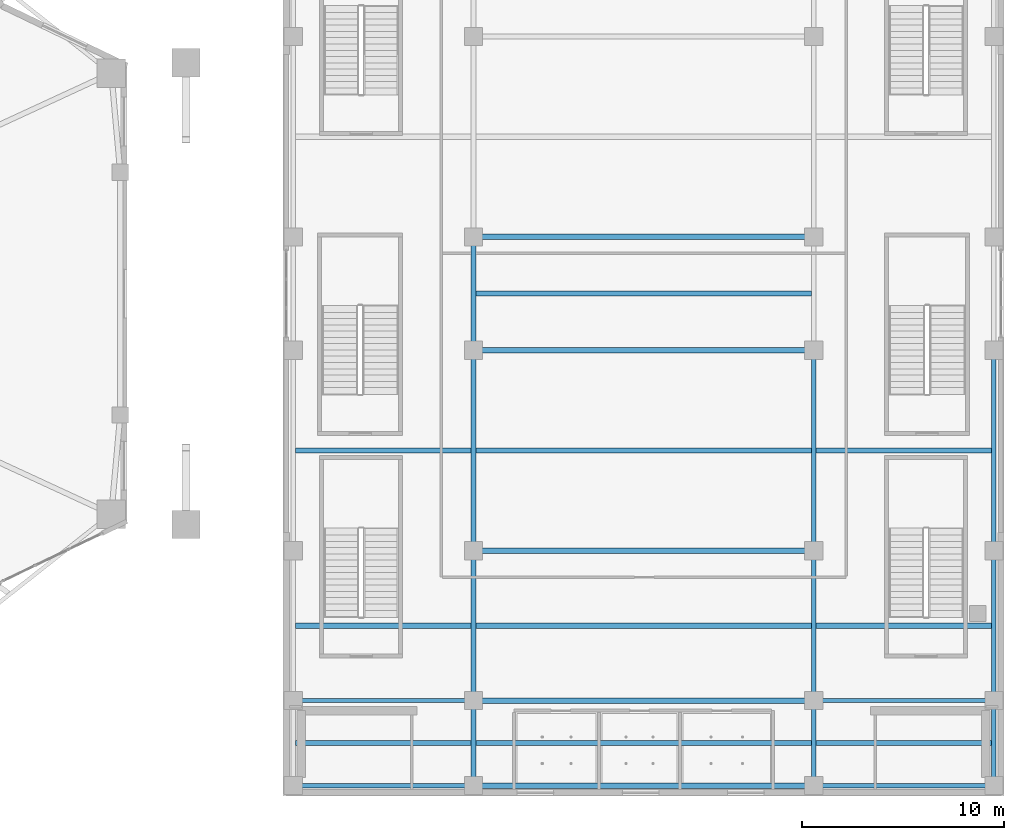
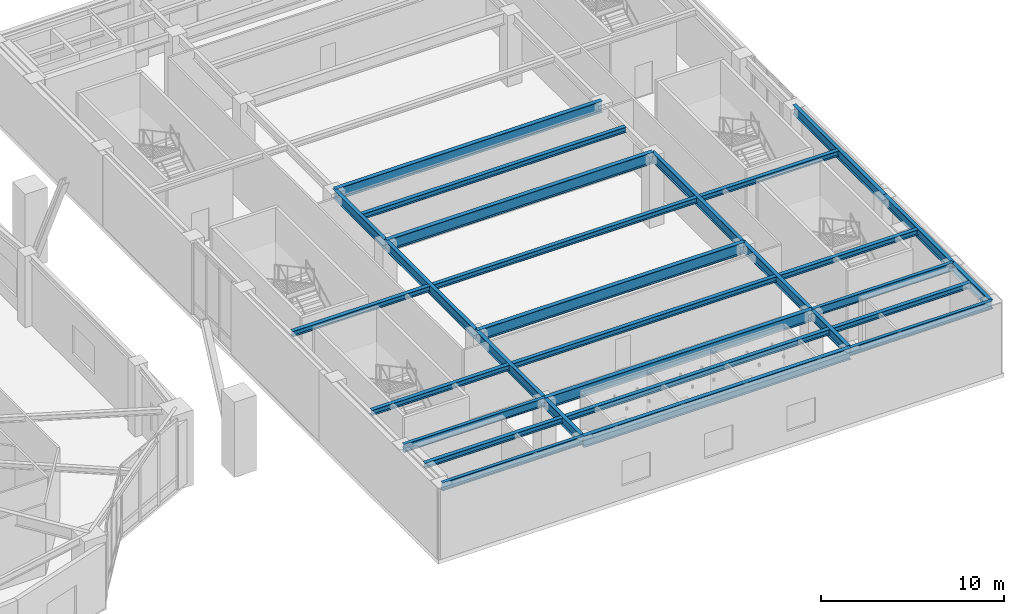
# One storey, part 7 of 21: 29 beams.
"""IFC4 building model written with IfcOpenShell, lengths in metres."""

import ifcopenshell
import ifcopenshell.guid

model = None  # the IFC model being written
_history = None  # IfcOwnerHistory: only IFC2X3 demands one
_inside = {}  # id of a spatial element -> (the spatial element, [elements in it])
_under = {}  # id of a project, library or spatial element -> (it, [spatial elements below it])
_declared = {}  # id of a project -> (the project, [libraries it declares])
_typed = {}  # id of a type object -> (the type object, [elements of that type])
_made_of = {}  # id of a material, layer set ... -> (it, [elements and type objects made of it])


def new_model(schema):
    """Start an empty IFC model of exactly this schema.

    Asked for "IFC4X3", IfcOpenShell would pick the latest addendum, in which some entities
    have other attributes; the version numbers below select the first issue.
    IFC2X3 requires an IfcOwnerHistory on every rooted entity: one is made here for all.
    """
    global model, _history
    if schema == "IFC4X3":
        model = ifcopenshell.file(schema_version=(4, 3, 0, 0))
    else:
        model = ifcopenshell.file(schema=schema)
    _inside.clear()
    _under.clear()
    _declared.clear()
    _typed.clear()
    _made_of.clear()
    _history = None
    if model.schema == "IFC2X3":
        org = make("IfcOrganization", Name="unknown")
        user = make(
            "IfcPersonAndOrganization",
            ThePerson=make("IfcPerson", FamilyName="unknown"),
            TheOrganization=org,
        )
        app = make(
            "IfcApplication",
            ApplicationDeveloper=org,
            Version="unknown",
            ApplicationFullName="unknown",
            ApplicationIdentifier="unknown",
        )
        _history = make(
            "IfcOwnerHistory",
            OwningUser=user,
            OwningApplication=app,
            ChangeAction="ADDED",
            CreationDate=0,
        )
    return model


def make(cls, **values):
    """One entity of the class cls with the attributes given. An attribute that is None is left unset."""
    return model.create_entity(
        cls, **{name: value for name, value in values.items() if value is not None}
    )


def rooted(cls, **values):
    """An entity with a GlobalId (a new one), such as an element, a storey or a relation."""
    return make(cls, GlobalId=ifcopenshell.guid.new(), OwnerHistory=_history, **values)


def si_unit(unit_type, name, prefix=None):
    """IfcSIUnit, for example si_unit("LENGTHUNIT", "METRE", prefix="MILLI")."""
    return make("IfcSIUnit", UnitType=unit_type, Prefix=prefix, Name=name)


def assignment(units):
    """IfcUnitAssignment: the units of a project."""
    return None if units is None else make("IfcUnitAssignment", Units=units)


def point(xyz):
    """IfcCartesianPoint."""
    return None if xyz is None else make("IfcCartesianPoint", Coordinates=xyz)


def direction(xyz):
    """IfcDirection."""
    return None if xyz is None else make("IfcDirection", DirectionRatios=xyz)


def frame(location, z_axis=None, x_axis=None):
    """IfcAxis2Placement3D, a coordinate frame: its origin and axes. An axis left out is left unset."""
    return make(
        "IfcAxis2Placement3D",
        Location=point(location),
        Axis=direction(z_axis),
        RefDirection=direction(x_axis),
    )


def frame_2d(location, x_axis=None):
    """IfcAxis2Placement2D, a coordinate frame in the plane: its origin and x axis."""
    return make(
        "IfcAxis2Placement2D", Location=point(location), RefDirection=direction(x_axis)
    )


def origin():
    """The frame at (0, 0, 0) with its axes left unset."""
    return frame((0.0, 0.0, 0.0))


def origin_2d():
    """The frame at (0, 0) in the plane with its x axis left unset."""
    return frame_2d((0.0, 0.0))


def place(relative_to, where):
    """IfcLocalPlacement: puts the frame where relative to a parent placement (None: the world)."""
    return make(
        "IfcLocalPlacement", PlacementRelTo=relative_to, RelativePlacement=where
    )


def context(
    kind, dimensions, precision=None, world=None, true_north=None, identifier=None
):
    """IfcGeometricRepresentationContext, for example the 3D "Model" context."""
    return make(
        "IfcGeometricRepresentationContext",
        ContextIdentifier=identifier,
        ContextType=kind,
        CoordinateSpaceDimension=dimensions,
        Precision=precision,
        WorldCoordinateSystem=world,
        TrueNorth=true_north,
    )


def subcontext(parent, identifier, kind, view, scale=None):
    """IfcGeometricRepresentationSubContext, for example "Body" below "Model"."""
    return make(
        "IfcGeometricRepresentationSubContext",
        ContextIdentifier=identifier,
        ContextType=kind,
        ParentContext=parent,
        TargetScale=scale,
        TargetView=view,
    )


def project(units=None, contexts=None):
    """IfcProject with its units and contexts."""
    return rooted(
        "IfcProject",
        Name="project",
        RepresentationContexts=contexts,
        UnitsInContext=assignment(units),
    )


def spatial(cls, under=None, at=None, **own):
    """A site, building, storey or space (cls), placed at a placement, below another one or the project."""
    s = rooted(cls, ObjectPlacement=at, **own)
    if under is not None:
        _under.setdefault(under.id(), (under, []))[1].append(s)
    return s


def profile(cls, at=None, kind="AREA", **sizes):
    """A parametric profile (cls). Its sizes go by their IFC names, for example OverallWidth=200.0."""
    return make(cls, ProfileType=kind, Position=at, **sizes)


def i_section(**sizes):
    """IfcIShapeProfileDef."""
    return profile("IfcIShapeProfileDef", **sizes)


def extrude(swept, where, along, depth):
    """IfcExtrudedAreaSolid: the profile swept, set in the frame where, extruded along a direction by depth."""
    return make(
        "IfcExtrudedAreaSolid",
        SweptArea=swept,
        Position=where,
        ExtrudedDirection=direction(along),
        Depth=depth,
    )


def shape(context_of_items, identifier, shape_type, items):
    """IfcShapeRepresentation: the items that make up one representation, for example the "Body"."""
    return make(
        "IfcShapeRepresentation",
        ContextOfItems=context_of_items,
        RepresentationIdentifier=identifier,
        RepresentationType=shape_type,
        Items=items,
    )


def material(Name=None, Category=None):
    """IfcMaterial."""
    return make("IfcMaterial", Name=Name, Category=Category)


def material_profile(
    of_material, cross_section, Name=None, Category=None, Priority=None
):
    """IfcMaterialProfile: a cross section and its material."""
    return make(
        "IfcMaterialProfile",
        Name=Name,
        Material=of_material,
        Profile=cross_section,
        Priority=Priority,
        Category=Category,
    )


def profile_set(profiles, Name=None, composite=None):
    """IfcMaterialProfileSet."""
    return make(
        "IfcMaterialProfileSet",
        Name=Name,
        MaterialProfiles=profiles,
        CompositeProfile=composite,
    )


def made_of(thing, what):
    """Note that an element or type object is made of a material, layer set ...; save() writes the relation."""
    if what is not None:
        _made_of.setdefault(what.id(), (what, []))[1].append(thing)
    return thing


def type_object(cls, material=None, **own):
    """A type object (cls), such as IfcWallType, which elements share."""
    return made_of(rooted(cls, **own), material)


def element(
    cls,
    number,
    at=None,
    inside=None,
    cuts=None,
    type_object=None,
    material=None,
    context=None,
    identifier="Body",
    shape_type=None,
    held_by="IfcProductDefinitionShape",
    body=None,
    shapes=None,
    **own,
):
    """One element of the class cls, such as IfcWall. Its Tag is "e" and its number.

    at: its placement. inside: the storey or other place that contains it. cuts: it is an
    opening in that element (IfcRelVoidsElement). A single representation is given by context,
    identifier, shape_type and body (its items); several are given by shapes. held_by: the class
    of the entity that holds the representations. save() writes the other relations.
    """
    e = rooted(cls, Tag="e%d" % number, ObjectPlacement=at, **own)
    if body is not None:
        shapes = [shape(context, identifier, shape_type, body)]
    if shapes is not None:
        e.Representation = make(held_by, Representations=shapes)
    if inside is not None:
        _inside.setdefault(inside.id(), (inside, []))[1].append(e)
    if cuts is not None:
        rooted(
            "IfcRelVoidsElement", RelatingBuildingElement=cuts, RelatedOpeningElement=e
        )
    if type_object is not None:
        _typed.setdefault(type_object.id(), (type_object, []))[1].append(e)
    return made_of(e, material)


def aggregate(whole, parts):
    """IfcRelAggregates: a whole, such as a stair, and the parts it consists of."""
    return rooted("IfcRelAggregates", RelatingObject=whole, RelatedObjects=parts)


def save(model, path):
    """Write the relations noted so far, then the file.

    IfcRelAggregates (storeys below a building ...), IfcRelContainedInSpatialStructure (elements
    in a storey), IfcRelDefinesByType, IfcRelAssociatesMaterial and IfcRelDeclares: one each for
    every whole, place, type object, material and project.
    """
    for whole, parts in _under.values():
        aggregate(whole, parts)
    for where, things in _inside.values():
        rooted(
            "IfcRelContainedInSpatialStructure",
            RelatedElements=things,
            RelatingStructure=where,
        )
    for kind, things in _typed.values():
        rooted("IfcRelDefinesByType", RelatedObjects=things, RelatingType=kind)
    for what, things in _made_of.values():
        rooted("IfcRelAssociatesMaterial", RelatedObjects=things, RelatingMaterial=what)
    for by, libraries in _declared.values():
        rooted("IfcRelDeclares", RelatingContext=by, RelatedDefinitions=libraries)
    model.write(path)


model = new_model("IFC4")

# Units and contexts
model_context = context("Model", 3, precision=1e-05, world=origin(), true_north=direction((0.0, 1.0)))
body_context = subcontext(model_context, "Body", "Model", "MODEL_VIEW")
ifc_project = project(units=[si_unit("LENGTHUNIT", "METRE"), si_unit("AREAUNIT", "SQUARE_METRE"), si_unit("VOLUMEUNIT", "CUBIC_METRE"), si_unit("PLANEANGLEUNIT", "RADIAN"), si_unit("MASSUNIT", "GRAM", prefix="KILO")], contexts=[model_context])

# Site, building, storey
site_placement = place(None, origin())
site = spatial("IfcSite", under=ifc_project, at=site_placement, CompositionType="ELEMENT")
building_placement = place(site_placement, origin())
building = spatial("IfcBuilding", under=site, at=building_placement, Name="Kolvaren Gate Tower and Convention Centre", CompositionType="ELEMENT")
storey_placement = place(building_placement, frame((0.0, 0.0, 5.0)))
storey = spatial("IfcBuildingStorey", under=building, at=storey_placement, Name="L01", CompositionType="ELEMENT", Elevation=5.0)

# Beams
ifc_material = material(Name="Structural steel ASTM A992 Grade 345 MPa", Category="steel")
ifc_material_profile_1 = material_profile(ifc_material, i_section(OverallWidth=0.2119140625, OverallDepth=0.5439453125, WebThickness=0.01318359375, FlangeThickness=0.021240234375, at=origin_2d()), Name="W530X123")
ifc_profile_set_1 = profile_set([ifc_material_profile_1], Name="Structural steel ASTM A992 Grade 345 MPa")
beam_type_1 = type_object("IfcBeamType", Name="STR-BM-W530X123", PredefinedType="BEAM", material=ifc_profile_set_1)
for number, where, z_axis, x_axis, name in (
    (1, (62.699951171875, 2.699951171875, 4.468017578125), (1.0, 0.0, 0.0), (0.0, 1.0, 0.0), "Convention L01 Transverse Girder CTG-11"),
    (2, (88.39990234375, 2.699951171875, 4.468017578125), (1.0, 0.0, 0.0), (0.0, 1.0, 0.0), "Convention L01 Transverse Girder CTG-31"),
    (3, (62.699951171875, 6.89990234375, 4.468017578125), (1.0, 0.0, 0.0), (0.0, 1.0, 0.0), "Convention L01 Transverse Girder CTG-12"),
    (4, (88.39990234375, 6.89990234375, 4.468017578125), (1.0, 0.0, 0.0), (0.0, 1.0, 0.0), "Convention L01 Transverse Girder CTG-32"),
):
    element("IfcBeam", number, at=place(storey_placement, frame(where, z_axis=z_axis, x_axis=x_axis)), inside=storey, type_object=beam_type_1, Name=name, PredefinedType="BEAM", context=body_context, shape_type="SweptSolid", body=[
        extrude(i_section(OverallWidth=0.2119140625, OverallDepth=0.5439453125, WebThickness=0.01318359375, FlangeThickness=0.021240234375, at=origin_2d()), origin(), (0.0, 0.0, 1.0), 8.900146484375),
    ])
ifc_material_profile_2 = material_profile(ifc_material, i_section(OverallWidth=0.22998046875, OverallDepth=0.616943359375, WebThickness=0.01318359375, FlangeThickness=0.022216796875, at=origin_2d()), Name="W610X140")
ifc_profile_set_2 = profile_set([ifc_material_profile_2], Name="Structural steel ASTM A992 Grade 345 MPa")
beam_type_2 = type_object("IfcBeamType", Name="STR-BM-W610X140", PredefinedType="BEAM", material=ifc_profile_set_2)
beam_1_placement = place(storey_placement, frame((71.60009765625, 2.699951171875, 4.431396484375), z_axis=(0.0, 1.0, 0.0), x_axis=(-1.0, 0.0, 0.0)))
element("IfcBeam", 5, at=beam_1_placement, inside=storey, type_object=beam_type_2, Name="Convention L01 Longitudinal Girder CG-21", PredefinedType="BEAM", context=body_context, shape_type="SweptSolid", body=[
    extrude(i_section(OverallWidth=0.22998046875, OverallDepth=0.616943359375, WebThickness=0.01318359375, FlangeThickness=0.022216796875, at=origin_2d()), origin(), (0.0, 0.0, 1.0), 4.199951171875),
])
beam_2_placement = place(storey_placement, frame((71.60009765625, 6.89990234375, 4.431396484375), z_axis=(0.0, 1.0, 0.0), x_axis=(-1.0, 0.0, 0.0)))
element("IfcBeam", 6, at=beam_2_placement, inside=storey, type_object=beam_type_2, Name="Convention L01 Longitudinal Girder CG-22", PredefinedType="BEAM", context=body_context, shape_type="SweptSolid", body=[
    extrude(i_section(OverallWidth=0.22998046875, OverallDepth=0.616943359375, WebThickness=0.01318359375, FlangeThickness=0.022216796875, at=origin_2d()), origin(), (0.0, 0.0, 1.0), 7.400146484375),
])
beam_3_placement = place(storey_placement, frame((71.60009765625, 14.300048828125, 4.431396484375), z_axis=(0.0, 1.0, 0.0), x_axis=(-1.0, 0.0, 0.0)))
element("IfcBeam", 7, at=beam_3_placement, inside=storey, type_object=beam_type_2, Name="Convention L01 Longitudinal Girder CG-23", PredefinedType="BEAM", context=body_context, shape_type="SweptSolid", body=[
    extrude(i_section(OverallWidth=0.22998046875, OverallDepth=0.616943359375, WebThickness=0.01318359375, FlangeThickness=0.022216796875, at=origin_2d()), origin(), (0.0, 0.0, 1.0), 9.89990234375),
])
beam_4_placement = place(storey_placement, frame((71.60009765625, 24.199951171875, 4.431396484375), z_axis=(0.0, 1.0, 0.0), x_axis=(-1.0, 0.0, 0.0)))
element("IfcBeam", 8, at=beam_4_placement, inside=storey, type_object=beam_type_2, Name="Convention L01 Longitudinal Girder CG-24", PredefinedType="BEAM", context=body_context, shape_type="SweptSolid", body=[
    extrude(i_section(OverallWidth=0.22998046875, OverallDepth=0.616943359375, WebThickness=0.01318359375, FlangeThickness=0.022216796875, at=origin_2d()), origin(), (0.0, 0.0, 1.0), 5.60009765625),
])
beam_5_placement = place(storey_placement, frame((88.39990234375, 2.699951171875, 4.431396484375), z_axis=(0.0, 1.0, 0.0), x_axis=(-1.0, 0.0, 0.0)))
element("IfcBeam", 9, at=beam_5_placement, inside=storey, type_object=beam_type_2, Name="Convention L01 Longitudinal Girder CG-31", PredefinedType="BEAM", context=body_context, shape_type="SweptSolid", body=[
    extrude(i_section(OverallWidth=0.22998046875, OverallDepth=0.616943359375, WebThickness=0.01318359375, FlangeThickness=0.022216796875, at=origin_2d()), origin(), (0.0, 0.0, 1.0), 4.199951171875),
])
beam_6_placement = place(storey_placement, frame((88.39990234375, 6.89990234375, 4.431396484375), z_axis=(0.0, 1.0, 0.0), x_axis=(-1.0, 0.0, 0.0)))
element("IfcBeam", 10, at=beam_6_placement, inside=storey, type_object=beam_type_2, Name="Convention L01 Longitudinal Girder CG-32", PredefinedType="BEAM", context=body_context, shape_type="SweptSolid", body=[
    extrude(i_section(OverallWidth=0.22998046875, OverallDepth=0.616943359375, WebThickness=0.01318359375, FlangeThickness=0.022216796875, at=origin_2d()), origin(), (0.0, 0.0, 1.0), 7.400146484375),
])
beam_7_placement = place(storey_placement, frame((88.39990234375, 14.300048828125, 4.431396484375), z_axis=(0.0, 1.0, 0.0), x_axis=(-1.0, 0.0, 0.0)))
element("IfcBeam", 11, at=beam_7_placement, inside=storey, type_object=beam_type_2, Name="Convention L01 Longitudinal Girder CG-33", PredefinedType="BEAM", context=body_context, shape_type="SweptSolid", body=[
    extrude(i_section(OverallWidth=0.22998046875, OverallDepth=0.616943359375, WebThickness=0.01318359375, FlangeThickness=0.022216796875, at=origin_2d()), origin(), (0.0, 0.0, 1.0), 9.89990234375),
])
beam_8_placement = place(storey_placement, frame((97.300048828125, 2.699951171875, 4.431396484375), z_axis=(0.0, 1.0, 0.0), x_axis=(-1.0, 0.0, 0.0)))
element("IfcBeam", 12, at=beam_8_placement, inside=storey, type_object=beam_type_2, Name="Convention L01 Longitudinal Girder CG-41", PredefinedType="BEAM", context=body_context, shape_type="SweptSolid", body=[
    extrude(i_section(OverallWidth=0.22998046875, OverallDepth=0.616943359375, WebThickness=0.01318359375, FlangeThickness=0.022216796875, at=origin_2d()), origin(), (0.0, 0.0, 1.0), 4.199951171875),
])
beam_9_placement = place(storey_placement, frame((97.300048828125, 6.89990234375, 4.431396484375), z_axis=(0.0, 1.0, 0.0), x_axis=(-1.0, 0.0, 0.0)))
element("IfcBeam", 13, at=beam_9_placement, inside=storey, type_object=beam_type_2, Name="Convention L01 Longitudinal Girder CG-42", PredefinedType="BEAM", context=body_context, shape_type="SweptSolid", body=[
    extrude(i_section(OverallWidth=0.22998046875, OverallDepth=0.616943359375, WebThickness=0.01318359375, FlangeThickness=0.022216796875, at=origin_2d()), origin(), (0.0, 0.0, 1.0), 7.400146484375),
])
beam_10_placement = place(storey_placement, frame((97.300048828125, 14.300048828125, 4.431396484375), z_axis=(0.0, 1.0, 0.0), x_axis=(-1.0, 0.0, 0.0)))
element("IfcBeam", 14, at=beam_10_placement, inside=storey, type_object=beam_type_2, Name="Convention L01 Longitudinal Girder CG-43", PredefinedType="BEAM", context=body_context, shape_type="SweptSolid", body=[
    extrude(i_section(OverallWidth=0.22998046875, OverallDepth=0.616943359375, WebThickness=0.01318359375, FlangeThickness=0.022216796875, at=origin_2d()), origin(), (0.0, 0.0, 1.0), 9.89990234375),
])
ifc_material_profile_3 = material_profile(ifc_material, i_section(OverallWidth=0.26806640625, OverallDepth=0.758056640625, WebThickness=0.016357421875, FlangeThickness=0.025390625, at=origin_2d()), Name="W760X220")
ifc_profile_set_3 = profile_set([ifc_material_profile_3], Name="Structural steel ASTM A992 Grade 345 MPa")
beam_type_3 = type_object("IfcBeamType", Name="STR-BM-W760X220", PredefinedType="BEAM", material=ifc_profile_set_3)
for number, where, z_axis, x_axis, name in (
    (15, (71.60009765625, 2.699951171875, 4.361083984375), (1.0, 0.0, 0.0), (0.0, 1.0, 0.0), "Convention L01 Transverse Girder CTG-21"),
    (16, (71.60009765625, 6.89990234375, 4.361083984375), (1.0, 0.0, 0.0), (0.0, 1.0, 0.0), "Convention L01 Transverse Girder CTG-22"),
    (17, (71.60009765625, 14.300048828125, 4.361083984375), (1.0, 0.0, 0.0), (0.0, 1.0, 0.0), "Convention L01 Transverse Girder CTG-23"),
    (18, (71.60009765625, 24.199951171875, 4.361083984375), (1.0, 0.0, 0.0), (0.0, 1.0, 0.0), "Convention L01 Transverse Girder CTG-24"),
    (19, (71.60009765625, 29.800048828125, 4.361083984375), (1.0, 0.0, 0.0), (0.0, 1.0, 0.0), "Convention L01 Transverse Girder CTG-25"),
):
    element("IfcBeam", number, at=place(storey_placement, frame(where, z_axis=z_axis, x_axis=x_axis)), inside=storey, type_object=beam_type_3, Name=name, PredefinedType="BEAM", context=body_context, shape_type="SweptSolid", body=[
        extrude(i_section(OverallWidth=0.26806640625, OverallDepth=0.758056640625, WebThickness=0.016357421875, FlangeThickness=0.025390625, at=origin_2d()), origin(), (0.0, 0.0, 1.0), 16.7998046875),
    ])
ifc_material_profile_4 = material_profile(ifc_material, i_section(OverallWidth=0.2548828125, OverallDepth=0.35693359375, WebThickness=0.010498046875, FlangeThickness=0.018310546875, at=origin_2d()), Name="W360X101")
ifc_profile_set_4 = profile_set([ifc_material_profile_4], Name="Structural steel ASTM A992 Grade 345 MPa")
beam_type_4 = type_object("IfcBeamType", Name="STR-JS-W360X101", PredefinedType="JOIST", material=ifc_profile_set_4)
beam_11_placement = place(storey_placement, frame((62.81494140625, 4.800048828125, 4.5615234375), z_axis=(1.0, 0.0, 0.0), x_axis=(0.0, 1.0, 0.0)))
element("IfcBeam", 20, at=beam_11_placement, inside=storey, type_object=beam_type_4, Name="Convention L01 Composite Floor Joist CJ-11", PredefinedType="JOIST", context=body_context, shape_type="SweptSolid", body=[
    extrude(i_section(OverallWidth=0.2548828125, OverallDepth=0.35693359375, WebThickness=0.010498046875, FlangeThickness=0.018310546875, at=origin_2d()), origin(), (0.0, 0.0, 1.0), 8.670166015625),
])
beam_12_placement = place(storey_placement, frame((71.715087890625, 4.800048828125, 4.5615234375), z_axis=(1.0, 0.0, 0.0), x_axis=(0.0, 1.0, 0.0)))
element("IfcBeam", 21, at=beam_12_placement, inside=storey, type_object=beam_type_4, Name="Convention L01 Composite Floor Joist CJ-21", PredefinedType="JOIST", context=body_context, shape_type="SweptSolid", body=[
    extrude(i_section(OverallWidth=0.2548828125, OverallDepth=0.35693359375, WebThickness=0.010498046875, FlangeThickness=0.018310546875, at=origin_2d()), origin(), (0.0, 0.0, 1.0), 16.56982421875),
])
for number, where, z_axis, x_axis, name in (
    (22, (88.514892578125, 4.800048828125, 4.5615234375), (1.0, 0.0, 0.0), (0.0, 1.0, 0.0), "Convention L01 Composite Floor Joist CJ-31"),
    (23, (62.81494140625, 10.60009765625, 4.5615234375), (1.0, 0.0, 0.0), (0.0, 1.0, 0.0), "Convention L01 Composite Floor Joist CJ-12"),
):
    element("IfcBeam", number, at=place(storey_placement, frame(where, z_axis=z_axis, x_axis=x_axis)), inside=storey, type_object=beam_type_4, Name=name, PredefinedType="JOIST", context=body_context, shape_type="SweptSolid", body=[
        extrude(i_section(OverallWidth=0.2548828125, OverallDepth=0.35693359375, WebThickness=0.010498046875, FlangeThickness=0.018310546875, at=origin_2d()), origin(), (0.0, 0.0, 1.0), 8.670166015625),
    ])
beam_13_placement = place(storey_placement, frame((71.715087890625, 10.60009765625, 4.5615234375), z_axis=(1.0, 0.0, 0.0), x_axis=(0.0, 1.0, 0.0)))
element("IfcBeam", 24, at=beam_13_placement, inside=storey, type_object=beam_type_4, Name="Convention L01 Composite Floor Joist CJ-22", PredefinedType="JOIST", context=body_context, shape_type="SweptSolid", body=[
    extrude(i_section(OverallWidth=0.2548828125, OverallDepth=0.35693359375, WebThickness=0.010498046875, FlangeThickness=0.018310546875, at=origin_2d()), origin(), (0.0, 0.0, 1.0), 16.56982421875),
])
for number, where, z_axis, x_axis, name in (
    (25, (88.514892578125, 10.60009765625, 4.5615234375), (1.0, 0.0, 0.0), (0.0, 1.0, 0.0), "Convention L01 Composite Floor Joist CJ-32"),
    (26, (62.81494140625, 19.25, 4.5615234375), (1.0, 0.0, 0.0), (0.0, 1.0, 0.0), "Convention L01 Composite Floor Joist CJ-13"),
):
    element("IfcBeam", number, at=place(storey_placement, frame(where, z_axis=z_axis, x_axis=x_axis)), inside=storey, type_object=beam_type_4, Name=name, PredefinedType="JOIST", context=body_context, shape_type="SweptSolid", body=[
        extrude(i_section(OverallWidth=0.2548828125, OverallDepth=0.35693359375, WebThickness=0.010498046875, FlangeThickness=0.018310546875, at=origin_2d()), origin(), (0.0, 0.0, 1.0), 8.670166015625),
    ])
beam_14_placement = place(storey_placement, frame((71.715087890625, 19.25, 4.5615234375), z_axis=(1.0, 0.0, 0.0), x_axis=(0.0, 1.0, 0.0)))
element("IfcBeam", 27, at=beam_14_placement, inside=storey, type_object=beam_type_4, Name="Convention L01 Composite Floor Joist CJ-23", PredefinedType="JOIST", context=body_context, shape_type="SweptSolid", body=[
    extrude(i_section(OverallWidth=0.2548828125, OverallDepth=0.35693359375, WebThickness=0.010498046875, FlangeThickness=0.018310546875, at=origin_2d()), origin(), (0.0, 0.0, 1.0), 16.56982421875),
])
beam_15_placement = place(storey_placement, frame((88.514892578125, 19.25, 4.5615234375), z_axis=(1.0, 0.0, 0.0), x_axis=(0.0, 1.0, 0.0)))
element("IfcBeam", 28, at=beam_15_placement, inside=storey, type_object=beam_type_4, Name="Convention L01 Composite Floor Joist CJ-33", PredefinedType="JOIST", context=body_context, shape_type="SweptSolid", body=[
    extrude(i_section(OverallWidth=0.2548828125, OverallDepth=0.35693359375, WebThickness=0.010498046875, FlangeThickness=0.018310546875, at=origin_2d()), origin(), (0.0, 0.0, 1.0), 8.670166015625),
])
beam_16_placement = place(storey_placement, frame((71.715087890625, 27.0, 4.5615234375), z_axis=(1.0, 0.0, 0.0), x_axis=(0.0, 1.0, 0.0)))
element("IfcBeam", 29, at=beam_16_placement, inside=storey, type_object=beam_type_4, Name="Convention L01 Composite Floor Joist CJ-24", PredefinedType="JOIST", context=body_context, shape_type="SweptSolid", body=[
    extrude(i_section(OverallWidth=0.2548828125, OverallDepth=0.35693359375, WebThickness=0.010498046875, FlangeThickness=0.018310546875, at=origin_2d()), origin(), (0.0, 0.0, 1.0), 16.56982421875),
])

save(model, "model.ifc")
